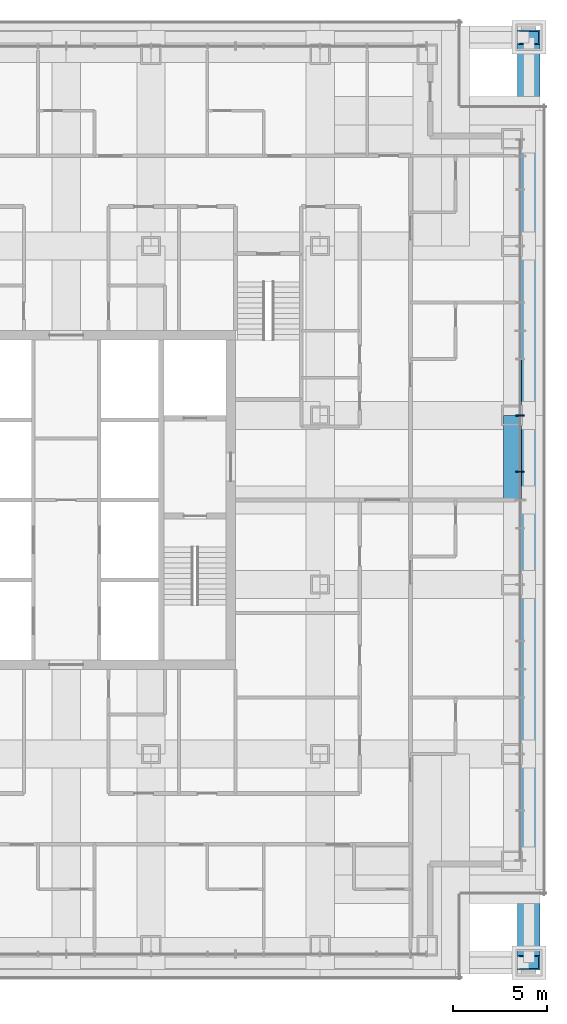
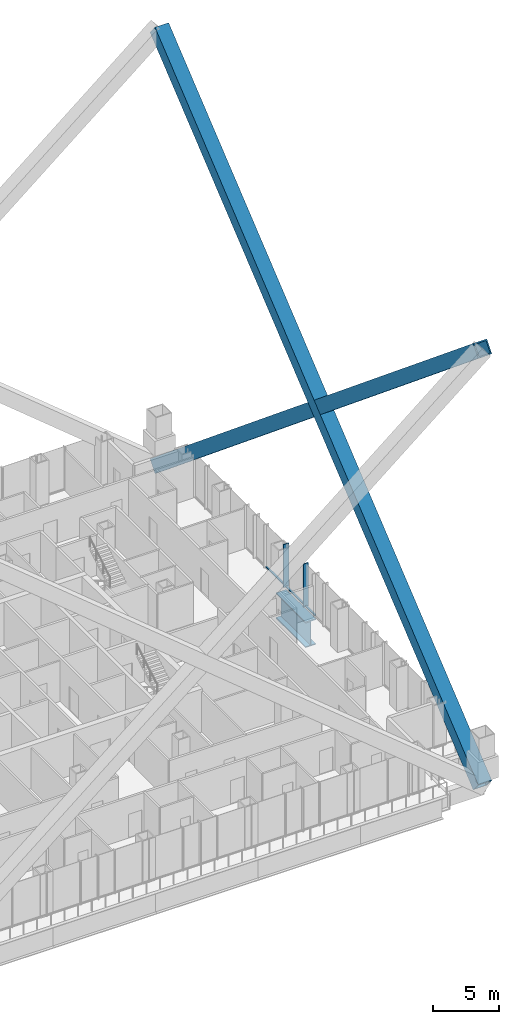
# One storey, part 8 of 20: 7 members, 1 beam, 1 element without a shape of its own.
"""IFC4 building model written with IfcOpenShell, lengths in metres."""

from ifc_helpers import new_model, si_unit, direction, frame, origin, origin_2d, place, context, subcontext, project, spatial, rectangle, hollow_rectangle, i_section, extrude, material, layer, layer_set, material_profile, profile_set, type_object, element, aggregate, save


model = new_model("IFC4")

# Units and contexts
model_context = context("Model", 3, precision=1e-05, world=origin(), true_north=direction((0.0, 1.0)))
body_context = subcontext(model_context, "Body", "Model", "MODEL_VIEW")
ifc_project = project(units=[si_unit("LENGTHUNIT", "METRE"), si_unit("AREAUNIT", "SQUARE_METRE"), si_unit("VOLUMEUNIT", "CUBIC_METRE"), si_unit("PLANEANGLEUNIT", "RADIAN"), si_unit("MASSUNIT", "GRAM", prefix="KILO")], contexts=[model_context])

# Site, building, storey
site_placement = place(None, origin())
site = spatial("IfcSite", under=ifc_project, at=site_placement, CompositionType="ELEMENT")
building_placement = place(site_placement, origin())
building = spatial("IfcBuilding", under=site, at=building_placement, Name="Malebo Sky Hospital", CompositionType="ELEMENT")
storey_placement = place(building_placement, frame((0.0, 0.0, 100.0)))
storey = spatial("IfcBuildingStorey", under=building, at=storey_placement, Name="L23", CompositionType="ELEMENT", Elevation=100.0)

# Curtain wall, members
ifc_material_1 = material(Name="Anodised aluminium, natural silver", Category="aluminium")
ifc_layer = layer(ifc_material_1, 0.25)
ifc_layer_set = layer_set([ifc_layer], Name="WARD CURTAIN WALL EAST AND WEST")
curtain_wall_type = type_object("IfcCurtainWallType", Name="WARD CURTAIN WALL EAST AND WEST", PredefinedType="NOTDEFINED", material=ifc_layer_set)
curtain_wall_placement = place(storey_placement, origin())
curtain_wall = element("IfcCurtainWall", 1, at=curtain_wall_placement, inside=storey, type_object=curtain_wall_type, Name="EW curtain wall E", PredefinedType="NOTDEFINED")
ifc_material_profile_1 = material_profile(ifc_material_1, rectangle(XDim=0.14990234375, YDim=0.10009765625, at=origin_2d()), Name="ALUMINIUM TRANSOM 150x100")
ifc_profile_set_1 = profile_set([ifc_material_profile_1], Name="Anodised aluminium, natural silver")
member_type_1 = type_object("IfcMemberType", Name="ALUMINIUM TRANSOM 150x100", PredefinedType="USERDEFINED", material=ifc_profile_set_1)
member_1_placement = place(storey_placement, frame((84.135009765625, 69.46240234375, 0.050048828125), z_axis=(0.0, -1.0, 0.0), x_axis=(1.0, 0.0, 0.0)))
member_1 = element("IfcMember", 2, at=member_1_placement, type_object=member_type_1, Name="Transom 7", ObjectType="TRANSOM", PredefinedType="USERDEFINED", context=body_context, shape_type="SweptSolid", body=[
    extrude(rectangle(XDim=0.14990234375, YDim=0.10009765625, at=origin_2d()), origin(), (0.0, 0.0, 1.0), 2.9248046875),
])
member_2_placement = place(storey_placement, frame((84.135009765625, 66.46240234375, 0.050048828125), z_axis=(0.0, -1.0, 0.0), x_axis=(1.0, 0.0, 0.0)))
member_2 = element("IfcMember", 3, at=member_2_placement, type_object=member_type_1, Name="Transom 8", ObjectType="TRANSOM", PredefinedType="USERDEFINED", context=body_context, shape_type="SweptSolid", body=[
    extrude(rectangle(XDim=0.14990234375, YDim=0.10009765625, at=origin_2d()), origin(), (0.0, 0.0, 1.0), 2.9248046875),
])
member_3_placement = place(storey_placement, frame((84.135009765625, 63.46240234375, 0.050048828125), z_axis=(0.0, -1.0, 0.0), x_axis=(1.0, 0.0, 0.0)))
member_3 = element("IfcMember", 4, at=member_3_placement, type_object=member_type_1, Name="Transom 9", ObjectType="TRANSOM", PredefinedType="USERDEFINED", context=body_context, shape_type="SweptSolid", body=[
    extrude(rectangle(XDim=0.14990234375, YDim=0.10009765625, at=origin_2d()), origin(), (0.0, 0.0, 1.0), 1.4248046875),
])
ifc_material_profile_2 = material_profile(ifc_material_1, rectangle(XDim=0.074951171875, YDim=0.449951171875, at=origin_2d()), Name="CW2 ALUMINIUM FIN MULLION 75x450")
ifc_profile_set_2 = profile_set([ifc_material_profile_2], Name="Anodised aluminium, natural silver")
member_type_2 = type_object("IfcMemberType", Name="CW2 ALUMINIUM FIN MULLION 75x450", PredefinedType="MULLION", material=ifc_profile_set_2)
member_4_placement = place(storey_placement, frame((84.135009765625, 66.5, 0.0), z_axis=(0.0, 0.0, 1.0), x_axis=(0.0, -1.0, 0.0)))
member_4 = element("IfcMember", 5, at=member_4_placement, type_object=member_type_2, Name="Fin mullion 8", PredefinedType="MULLION", context=body_context, shape_type="SweptSolid", body=[
    extrude(rectangle(XDim=0.074951171875, YDim=0.449951171875, at=origin_2d()), origin(), (0.0, 0.0, 1.0), 4.0),
])
member_5_placement = place(storey_placement, frame((84.135009765625, 63.5, 0.0), z_axis=(0.0, 0.0, 1.0), x_axis=(0.0, -1.0, 0.0)))
member_5 = element("IfcMember", 6, at=member_5_placement, type_object=member_type_2, Name="Fin mullion 9", PredefinedType="MULLION", context=body_context, shape_type="SweptSolid", body=[
    extrude(rectangle(XDim=0.074951171875, YDim=0.449951171875, at=origin_2d()), origin(), (0.0, 0.0, 1.0), 4.0),
])
aggregate(curtain_wall, [member_4, member_5, member_1, member_2, member_3])

# Members
ifc_material_2 = material(Name="Steel S460", Category="steel")
ifc_material_profile_3 = material_profile(ifc_material_2, hollow_rectangle(XDim=1.199951171875, YDim=1.199951171875, WallThickness=0.10009765625, at=origin_2d()), Name="BOX 1200x1200x100")
ifc_profile_set_3 = profile_set([ifc_material_profile_3], Name="Steel S460")
member_type_3 = type_object("IfcMemberType", Name="MEGA BRACE BOX 1200x1200x100", PredefinedType="BRACE", material=ifc_profile_set_3)
for number, where, z_axis, x_axis, name in (
    (7, (84.60009765625, 37.39990234375, -0.949951171875), (0.0, 0.771682026821, 0.63600852941), (-1.0, 0.0, 0.0), "Mega brace B1E1 L23-L33"),
    (8, (84.60009765625, 86.60009765625, -0.949951171875), (0.0, -0.771682026821, 0.63600852941), (1.0, 0.0, 0.0), "Mega brace B1E2 L23-L33"),
):
    element("IfcMember", number, at=place(storey_placement, frame(where, z_axis=z_axis, x_axis=x_axis)), inside=storey, type_object=member_type_3, Name=name, PredefinedType="BRACE", context=body_context, shape_type="SweptSolid", body=[
        extrude(hollow_rectangle(XDim=1.199951171875, YDim=1.199951171875, WallThickness=0.10009765625, at=origin_2d()), origin(), (0.0, 0.0, 1.0), 63.757080078125),
    ])

# Beam
ifc_material_3 = material(Name="Steel S355", Category="steel")
ifc_material_profile_4 = material_profile(ifc_material_3, i_section(OverallWidth=0.89990234375, OverallDepth=2.39990234375, WebThickness=0.050048828125, FlangeThickness=0.10009765625, at=origin_2d()), Name="PG 2400x900x50x100")
ifc_profile_set_4 = profile_set([ifc_material_profile_4], Name="Steel S355")
beam_type = type_object("IfcBeamType", Name="TRANSFER GIRDER PG 2400x900x50x100", PredefinedType="BEAM", material=ifc_profile_set_4)
beam_placement = place(storey_placement, frame((83.699951171875, 62.0, -1.449951171875), z_axis=(0.0, 1.0, 0.0), x_axis=(-1.0, 0.0, 0.0)))
element("IfcBeam", 9, at=beam_placement, inside=storey, type_object=beam_type, Name="Beam 034d L23", PredefinedType="BEAM", context=body_context, shape_type="SweptSolid", body=[
    extrude(i_section(OverallWidth=0.89990234375, OverallDepth=2.39990234375, WebThickness=0.050048828125, FlangeThickness=0.10009765625, at=origin_2d()), origin(), (0.0, 0.0, 1.0), 4.5),
])

save(model, "model.ifc")
